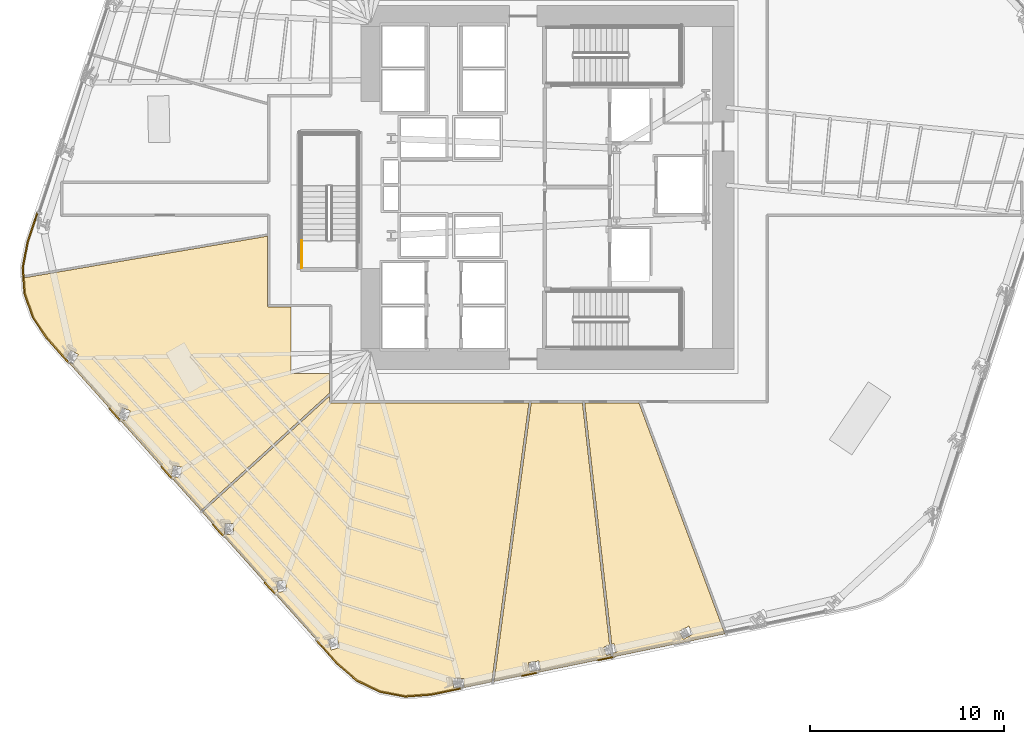
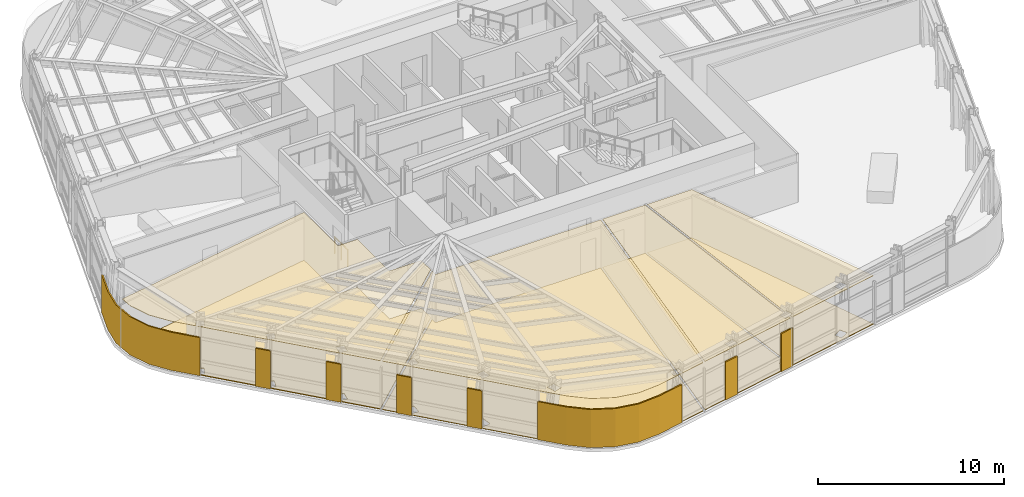
# One storey, part 11 of 17: 16 coverings, 1 railing.
"""IFC4 building model written with IfcOpenShell, lengths in metres."""

from ifc_helpers import new_model, si_unit, direction, frame, origin, origin_2d, place, context, subcontext, project, spatial, polyline, circle, outline, extrude, material, layer, layer_set, type_object, element, save


model = new_model("IFC4")

# Units and contexts
model_context = context("Model", 3, precision=1e-05, world=origin(), true_north=direction((0.0, 1.0)))
body_context = subcontext(model_context, "Body", "Model", "MODEL_VIEW")
ifc_project = project(units=[si_unit("LENGTHUNIT", "METRE"), si_unit("AREAUNIT", "SQUARE_METRE"), si_unit("VOLUMEUNIT", "CUBIC_METRE"), si_unit("PLANEANGLEUNIT", "RADIAN"), si_unit("MASSUNIT", "GRAM", prefix="KILO")], contexts=[model_context])

# Site, building, storey
site_placement = place(None, origin())
site = spatial("IfcSite", under=ifc_project, at=site_placement, CompositionType="ELEMENT")
building_placement = place(site_placement, origin())
building = spatial("IfcBuilding", under=site, at=building_placement, Name="Valkerne Bourse Tower", CompositionType="ELEMENT")
storey_placement = place(building_placement, frame((0.0, 0.0, 73.39990234375)))
storey = spatial("IfcBuildingStorey", under=building, at=storey_placement, Name="L18", CompositionType="ELEMENT", Elevation=73.39990234375)

# Coverings
ifc_material_1 = material(Name="Mineral Fiber Acoustic Ceiling Tile", Category="acoustic")
ifc_layer_1 = layer(ifc_material_1, 0.02490234375)
ifc_layer_set_1 = layer_set([ifc_layer_1], Name="Mineral Fiber Acoustic Ceiling Tile")
covering_type_1 = type_object("IfcCoveringType", Name="COV-CEIL-ACT", PredefinedType="CEILING", material=ifc_layer_set_1)
covering_1_placement = place(storey_placement, frame((0.0, 0.0, 3.170166015625)))
element("IfcCovering", 1, at=covering_1_placement, inside=storey, type_object=covering_type_1, Name="L18 Suspended Ceiling 03", PredefinedType="CEILING", context=body_context, shape_type="SweptSolid", body=[
    extrude(outline(polyline([(51.509521484375, 15.781005859375), (55.92578125, 3.90576171875), (50.1826171875, 2.7216796875), (50.162109375, 2.905517578125), (50.3701171875, 2.977783203125), (50.220947265625, 3.41015625), (50.21728515625, 3.40966796875), (50.109619140625, 3.372314453125), (48.7177734375, 15.781005859375), (51.509521484375, 15.781005859375)]), holes=[polyline([(54.2880859375, 3.897216796875), (54.0693359375, 4.299072265625), (54.06591796875, 4.2978515625), (53.580078125, 4.0322265625), (53.798583984375, 3.63037109375), (53.802001953125, 3.63134765625), (54.2880859375, 3.897216796875)])]), origin(), (0.0, 0.0, 1.0), 0.02490234375),
])
covering_2_placement = place(storey_placement, frame((0.0, 0.0, 3.170166015625)))
element("IfcCovering", 2, at=covering_2_placement, inside=storey, type_object=covering_type_1, Name="L18 Suspended Ceiling 04", PredefinedType="CEILING", context=body_context, shape_type="SweptSolid", body=[
    extrude(outline(polyline([(48.59912109375, 15.781005859375), (49.995361328125, 3.33251953125), (49.694091796875, 3.22802734375), (49.843505859375, 2.79541015625), (49.846923828125, 2.7958984375), (50.047607421875, 2.86572265625), (50.066650390625, 2.69775390625), (44.051513671875, 1.457763671875), (45.962646484375, 15.781005859375), (48.59912109375, 15.781005859375)]), holes=[polyline([(46.365966796875, 2.513916015625), (46.3623046875, 2.51416015625), (45.81689453125, 2.4189453125), (45.89453125, 1.968017578125), (45.898193359375, 1.968017578125), (46.443603515625, 2.063232421875), (46.365966796875, 2.513916015625)])]), origin(), (0.0, 0.0, 1.0), 0.02490234375),
])
covering_3_placement = place(storey_placement, frame((0.0, 0.0, 3.170166015625)))
element("IfcCovering", 3, at=covering_3_placement, inside=storey, type_object=covering_type_1, Name="L18 Suspended Ceiling 06", PredefinedType="CEILING", context=body_context, shape_type="SweptSolid", body=[
    extrude(outline(polyline([(19.897216796875, 21.4287109375), (19.8388671875, 22.223388671875), (32.381103515625, 24.369873046875), (32.381103515625, 20.79931640625), (32.398193359375, 20.754150390625), (32.4208984375, 20.7373046875), (32.44970703125, 20.73095703125), (33.60009765625, 20.73095703125), (33.60009765625, 17.300048828125), (35.5810546875, 17.300048828125), (35.5810546875, 16.295166015625), (28.959716796875, 10.253173828125), (22.072509765625, 17.96923828125), (22.392822265625, 17.794921875), (22.660888671875, 18.281005859375), (22.65966796875, 18.28466796875), (22.259033203125, 18.502685546875), (22.006103515625, 18.043701171875), (21.078125, 19.083251953125), (20.331298828125, 20.1826171875), (19.897216796875, 21.4287109375)]), holes=[polyline([(27.9990234375, 12.48095703125), (27.996826171875, 12.483642578125), (27.548583984375, 12.56884765625), (27.442138671875, 12.023681640625), (27.4443359375, 12.02099609375), (27.892578125, 11.935791015625), (27.9990234375, 12.48095703125)]), polyline([(25.334716796875, 15.38134765625), (25.3330078125, 15.384521484375), (24.904296875, 15.54052734375), (24.711669921875, 15.019775390625), (24.71337890625, 15.0166015625), (25.14208984375, 14.860595703125), (25.334716796875, 15.38134765625)])]), origin(), (0.0, 0.0, 1.0), 0.02490234375),
])
covering_4_placement = place(storey_placement, frame((0.0, 0.0, 3.170166015625)))
element("IfcCovering", 4, at=covering_4_placement, inside=storey, type_object=covering_type_1, Name="L18 Suspended Ceiling 08", PredefinedType="CEILING", context=body_context, shape_type="SweptSolid", body=[
    extrude(outline(polyline([(38.180908203125, 0.93798828125), (36.99267578125, 1.51220703125), (35.986572265625, 2.380859375), (29.038330078125, 10.165283203125), (35.5810546875, 16.135498046875), (35.581787109375, 15.839111328125), (35.60400390625, 15.79833984375), (35.646484375, 15.781005859375), (45.843505859375, 15.781005859375), (43.92919921875, 1.4326171875), (40.802490234375, 0.7880859375), (39.47705078125, 0.690673828125), (38.180908203125, 0.93798828125)]), holes=[polyline([(33.305419921875, 6.661865234375), (33.302490234375, 6.663818359375), (32.8505859375, 6.60009765625), (32.925048828125, 6.0498046875), (32.927978515625, 6.0478515625), (33.3798828125, 6.111572265625), (33.305419921875, 6.661865234375)]), polyline([(30.652099609375, 9.577880859375), (30.19580078125, 9.587890625), (30.180908203125, 9.03271484375), (30.18359375, 9.030517578125), (30.639892578125, 9.0205078125), (30.65478515625, 9.575439453125), (30.652099609375, 9.577880859375)]), polyline([(42.51171875, 1.156494140625), (42.502197265625, 1.614013671875), (42.498291015625, 1.61474609375), (41.945068359375, 1.601806640625), (41.95458984375, 1.144287109375), (41.95849609375, 1.143798828125), (42.51171875, 1.156494140625)]), polyline([(36.110595703125, 3.20556640625), (35.955078125, 3.738525390625), (35.95166015625, 3.739990234375), (35.514404296875, 3.60986328125), (35.669921875, 3.076904296875), (35.67333984375, 3.0751953125), (36.110595703125, 3.20556640625)])]), origin(), (0.0, 0.0, 1.0), 0.02490234375),
])
ifc_material_2 = material(Name="Bronze Anodised Aluminium AA 6063-T6", Category="aluminium")
ifc_layer_2 = layer(ifc_material_2, 0.06005859375)
ifc_layer_set_2 = layer_set([ifc_layer_2], Name="Bronze Anodised Aluminium AA 6063-T6")
covering_type_2 = type_object("IfcCoveringType", Name="COV-CRN-ALUM", PredefinedType="CLADDING", material=ifc_layer_set_2)
covering_5_placement = place(storey_placement, origin())
element("IfcCovering", 5, at=covering_5_placement, inside=storey, type_object=covering_type_2, Name="L18 Wind-Shaped Corner Aluminium Cladding 09", PredefinedType="CLADDING", context=body_context, shape_type="SweptSolid", body=[
    extrude(outline(polyline([(49.401123046875, 2.515625), (49.385009765625, 2.593994140625), (50.20751953125, 2.763671875), (50.223876953125, 2.685302734375), (49.401123046875, 2.515625)])), origin(), (0.0, 0.0, 1.0), 2.5),
])
covering_6_placement = place(storey_placement, origin())
element("IfcCovering", 6, at=covering_6_placement, inside=storey, type_object=covering_type_2, Name="L18 Wind-Shaped Corner Aluminium Cladding 10", PredefinedType="CLADDING", context=body_context, shape_type="SweptSolid", body=[
    extrude(outline(polyline([(45.487548828125, 1.708984375), (45.47119140625, 1.787353515625), (46.2939453125, 1.956787109375), (46.31005859375, 1.87841796875), (45.487548828125, 1.708984375)])), origin(), (0.0, 0.0, 1.0), 2.5),
])
covering_7_placement = place(storey_placement, origin())
element("IfcCovering", 7, at=covering_7_placement, inside=storey, type_object=covering_type_2, Name="L18 Wind-Shaped Corner Aluminium Cladding 11", PredefinedType="CLADDING", context=body_context, shape_type="SweptSolid", body=[
    extrude(outline(polyline([(40.80859375, 0.744384765625), (39.474365234375, 0.646484375), (38.1669921875, 0.89599609375), (36.968505859375, 1.47509765625), (35.955810546875, 2.349365234375), (34.876220703125, 3.558837890625), (34.935791015625, 3.612060546875), (36.011962890625, 2.406494140625), (37.0126953125, 1.54248046875), (38.192138671875, 0.972412109375), (39.47900390625, 0.72705078125), (40.797607421875, 0.82373046875), (42.380126953125, 1.14990234375), (42.396484375, 1.07177734375), (40.80859375, 0.744384765625)])), origin(), (0.0, 0.0, 1.0), 2.5),
])
covering_8_placement = place(storey_placement, origin())
element("IfcCovering", 8, at=covering_8_placement, inside=storey, type_object=covering_type_2, Name="L18 Wind-Shaped Corner Aluminium Cladding 12", PredefinedType="CLADDING", context=body_context, shape_type="SweptSolid", body=[
    extrude(outline(polyline([(32.215087890625, 6.5400390625), (32.27490234375, 6.59326171875), (32.834228515625, 5.966552734375), (32.7744140625, 5.913330078125), (32.215087890625, 6.5400390625)])), origin(), (0.0, 0.0, 1.0), 2.5),
])
covering_9_placement = place(storey_placement, origin())
element("IfcCovering", 9, at=covering_9_placement, inside=storey, type_object=covering_type_2, Name="L18 Wind-Shaped Corner Aluminium Cladding 13", PredefinedType="CLADDING", context=body_context, shape_type="SweptSolid", body=[
    extrude(outline(polyline([(29.55419921875, 9.52099609375), (29.614013671875, 9.574462890625), (30.17333984375, 8.94775390625), (30.113525390625, 8.89453125), (29.55419921875, 9.52099609375)])), origin(), (0.0, 0.0, 1.0), 2.5),
])
covering_10_placement = place(storey_placement, origin())
element("IfcCovering", 10, at=covering_10_placement, inside=storey, type_object=covering_type_2, Name="L18 Wind-Shaped Corner Aluminium Cladding 14", PredefinedType="CLADDING", context=body_context, shape_type="SweptSolid", body=[
    extrude(outline(polyline([(26.893310546875, 12.502197265625), (26.952880859375, 12.555419921875), (27.512451171875, 11.9287109375), (27.45263671875, 11.87548828125), (26.893310546875, 12.502197265625)])), origin(), (0.0, 0.0, 1.0), 2.5),
])
covering_11_placement = place(storey_placement, origin())
element("IfcCovering", 11, at=covering_11_placement, inside=storey, type_object=covering_type_2, Name="L18 Wind-Shaped Corner Aluminium Cladding 15", PredefinedType="CLADDING", context=body_context, shape_type="SweptSolid", body=[
    extrude(outline(polyline([(24.232421875, 15.4833984375), (24.2919921875, 15.53662109375), (24.851318359375, 14.909912109375), (24.791748046875, 14.856689453125), (24.232421875, 15.4833984375)])), origin(), (0.0, 0.0, 1.0), 2.5),
])
covering_12_placement = place(storey_placement, origin())
element("IfcCovering", 12, at=covering_12_placement, inside=storey, type_object=covering_type_2, Name="L18 Wind-Shaped Corner Aluminium Cladding 16", PredefinedType="CLADDING", context=body_context, shape_type="SweptSolid", body=[
    extrude(outline(polyline([(21.04345703125, 19.05615234375), (20.29150390625, 20.16259765625), (19.853759765625, 21.419677734375), (19.75634765625, 22.747314453125), (20.0068359375, 24.061279296875), (20.52099609375, 25.611083984375), (20.596923828125, 25.586181640625), (20.08447265625, 24.041015625), (19.8369140625, 22.74267578125), (19.932861328125, 21.43603515625), (20.363525390625, 20.198974609375), (21.106689453125, 19.10546875), (22.1904296875, 17.89111328125), (22.130615234375, 17.837890625), (21.04345703125, 19.05615234375)])), origin(), (0.0, 0.0, 1.0), 2.5),
])
ifc_material_3 = material(Name="Galvanised Painted Steel", Category="steel")
ifc_layer_3 = layer(ifc_material_3, 0.044921875)
ifc_layer_set_3 = layer_set([ifc_layer_3], Name="Galvanised Painted Steel")
covering_type_3 = type_object("IfcCoveringType", Name="COV-FLR-RAF", PredefinedType="FLOORING", material=ifc_layer_set_3)
covering_13_placement = place(storey_placement, origin())
element("IfcCovering", 13, at=covering_13_placement, inside=storey, type_object=covering_type_3, Name="L18 Floor Finish 06", PredefinedType="FLOORING", context=body_context, shape_type="SweptSolid", body=[
    extrude(outline(polyline([(19.897216796875, 21.4287109375), (19.8388671875, 22.223388671875), (32.381103515625, 24.369873046875), (32.381103515625, 20.79931640625), (32.398193359375, 20.754150390625), (32.4208984375, 20.7373046875), (32.44970703125, 20.73095703125), (33.60009765625, 20.73095703125), (33.60009765625, 17.300048828125), (35.5810546875, 17.300048828125), (35.5810546875, 16.295166015625), (28.959716796875, 10.253173828125), (22.072509765625, 17.96923828125), (22.392822265625, 17.794921875), (22.660888671875, 18.281005859375), (22.65966796875, 18.28466796875), (22.259033203125, 18.502685546875), (22.006103515625, 18.043701171875), (21.078125, 19.083251953125), (20.331298828125, 20.1826171875), (19.897216796875, 21.4287109375)]), holes=[polyline([(27.9990234375, 12.48095703125), (27.996826171875, 12.483642578125), (27.548583984375, 12.56884765625), (27.442138671875, 12.023681640625), (27.4443359375, 12.02099609375), (27.892578125, 11.935791015625), (27.9990234375, 12.48095703125)]), polyline([(25.334716796875, 15.38134765625), (25.3330078125, 15.384521484375), (24.904296875, 15.54052734375), (24.711669921875, 15.019775390625), (24.71337890625, 15.0166015625), (25.14208984375, 14.860595703125), (25.334716796875, 15.38134765625)])]), origin(), (0.0, 0.0, 1.0), 0.045166015625),
])
ifc_material_4 = material(Name="Polished Granite Stone", Category="masonry")
ifc_layer_4 = layer(ifc_material_4, 0.030029296875)
ifc_layer_set_4 = layer_set([ifc_layer_4], Name="Polished Granite Stone")
covering_type_4 = type_object("IfcCoveringType", Name="COV-FLR-TERRAZZO", PredefinedType="FLOORING", material=ifc_layer_set_4)
covering_14_placement = place(storey_placement, origin())
element("IfcCovering", 14, at=covering_14_placement, inside=storey, type_object=covering_type_4, Name="L18 Floor Finish 03", PredefinedType="FLOORING", context=body_context, shape_type="SweptSolid", body=[
    extrude(outline(polyline([(51.509521484375, 15.781005859375), (55.92578125, 3.90576171875), (50.1826171875, 2.7216796875), (50.162109375, 2.905517578125), (50.3701171875, 2.977783203125), (50.220947265625, 3.41015625), (50.21728515625, 3.40966796875), (50.109619140625, 3.372314453125), (48.7177734375, 15.781005859375), (51.509521484375, 15.781005859375)]), holes=[polyline([(54.2880859375, 3.897216796875), (54.0693359375, 4.299072265625), (54.06591796875, 4.2978515625), (53.580078125, 4.0322265625), (53.798583984375, 3.63037109375), (53.802001953125, 3.63134765625), (54.2880859375, 3.897216796875)])]), origin(), (0.0, 0.0, 1.0), 0.030029296875),
])
covering_15_placement = place(storey_placement, origin())
element("IfcCovering", 15, at=covering_15_placement, inside=storey, type_object=covering_type_4, Name="L18 Floor Finish 04", PredefinedType="FLOORING", context=body_context, shape_type="SweptSolid", body=[
    extrude(outline(polyline([(48.59912109375, 15.781005859375), (49.995361328125, 3.33251953125), (49.694091796875, 3.22802734375), (49.843505859375, 2.79541015625), (49.846923828125, 2.7958984375), (50.047607421875, 2.86572265625), (50.066650390625, 2.69775390625), (44.051513671875, 1.457763671875), (45.962646484375, 15.781005859375), (48.59912109375, 15.781005859375)]), holes=[polyline([(46.365966796875, 2.513916015625), (46.3623046875, 2.51416015625), (45.81689453125, 2.4189453125), (45.89453125, 1.968017578125), (45.898193359375, 1.968017578125), (46.443603515625, 2.063232421875), (46.365966796875, 2.513916015625)])]), origin(), (0.0, 0.0, 1.0), 0.030029296875),
])
covering_16_placement = place(storey_placement, origin())
element("IfcCovering", 16, at=covering_16_placement, inside=storey, type_object=covering_type_4, Name="L18 Floor Finish 08", PredefinedType="FLOORING", context=body_context, shape_type="SweptSolid", body=[
    extrude(outline(polyline([(38.180908203125, 0.93798828125), (36.99267578125, 1.51220703125), (35.986572265625, 2.380859375), (29.038330078125, 10.165283203125), (35.5810546875, 16.135498046875), (35.581787109375, 15.839111328125), (35.60400390625, 15.79833984375), (35.646484375, 15.781005859375), (45.843505859375, 15.781005859375), (43.92919921875, 1.4326171875), (40.802490234375, 0.7880859375), (39.47705078125, 0.690673828125), (38.180908203125, 0.93798828125)]), holes=[polyline([(33.305419921875, 6.661865234375), (33.302490234375, 6.663818359375), (32.8505859375, 6.60009765625), (32.925048828125, 6.0498046875), (32.927978515625, 6.0478515625), (33.3798828125, 6.111572265625), (33.305419921875, 6.661865234375)]), polyline([(30.652099609375, 9.577880859375), (30.19580078125, 9.587890625), (30.180908203125, 9.03271484375), (30.18359375, 9.030517578125), (30.639892578125, 9.0205078125), (30.65478515625, 9.575439453125), (30.652099609375, 9.577880859375)]), polyline([(42.51171875, 1.156494140625), (42.502197265625, 1.614013671875), (42.498291015625, 1.61474609375), (41.945068359375, 1.601806640625), (41.95458984375, 1.144287109375), (41.95849609375, 1.143798828125), (42.51171875, 1.156494140625)]), polyline([(36.110595703125, 3.20556640625), (35.955078125, 3.738525390625), (35.95166015625, 3.739990234375), (35.514404296875, 3.60986328125), (35.669921875, 3.076904296875), (35.67333984375, 3.0751953125), (36.110595703125, 3.20556640625)])]), origin(), (0.0, 0.0, 1.0), 0.030029296875),
])

# Railing
railing_type = type_object("IfcRailingType", Name="RLG-ST-GUARD-1120", PredefinedType="GUARDRAIL", material=ifc_material_3)
railing_placement = place(storey_placement, frame((34.14990234375, 22.75, 0.0)))
element("IfcRailing", 17, at=railing_placement, inside=storey, type_object=railing_type, Name="L18 ST-3 stair guard 9", PredefinedType="GUARDRAIL", context=body_context, shape_type="SweptSolid", body=[
    extrude(circle(Radius=0.02392578125, at=origin_2d()), frame((0.0, 0.0, 1.09619140625), z_axis=(0.0, 1.0, 0.0), x_axis=(-1.0, 0.0, 0.0)), (0.0, 0.0, 1.0), 1.39990234375),
    extrude(circle(Radius=0.02099609375, at=origin_2d()), origin(), (0.0, 0.0, 1.0), 1.072021484375),
    extrude(circle(Radius=0.02099609375, at=origin_2d()), frame((0.0, 0.699951171875, 0.0)), (0.0, 0.0, 1.0), 1.072021484375),
    extrude(circle(Radius=0.02099609375, at=origin_2d()), frame((0.0, 1.39990234375, 0.0)), (0.0, 0.0, 1.0), 1.072021484375),
])

save(model, "model.ifc")
